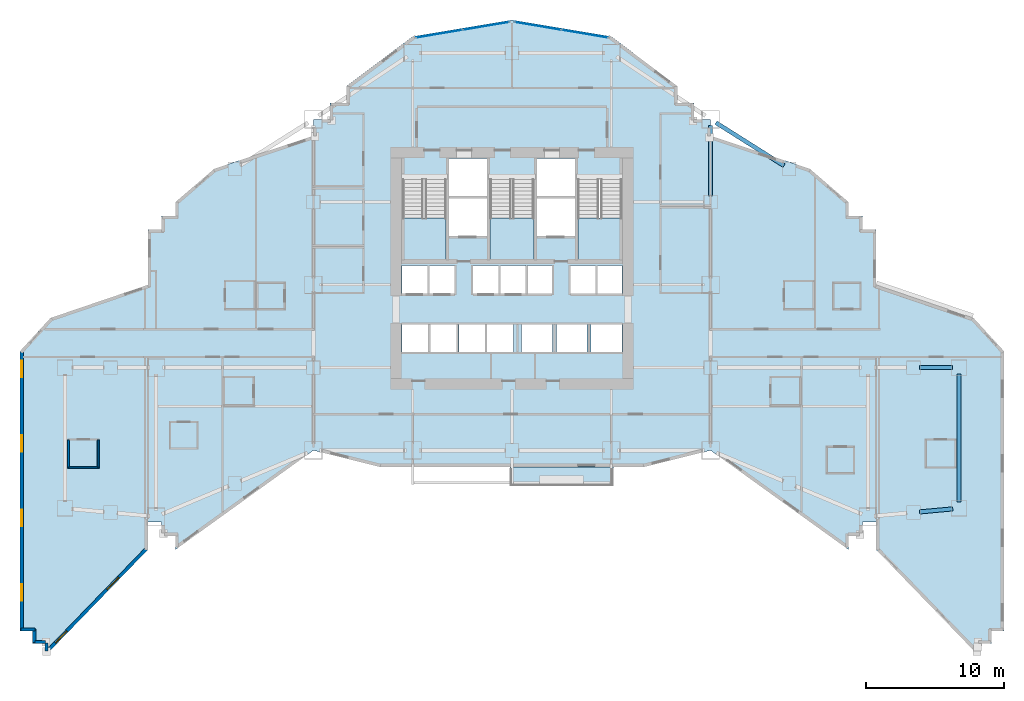
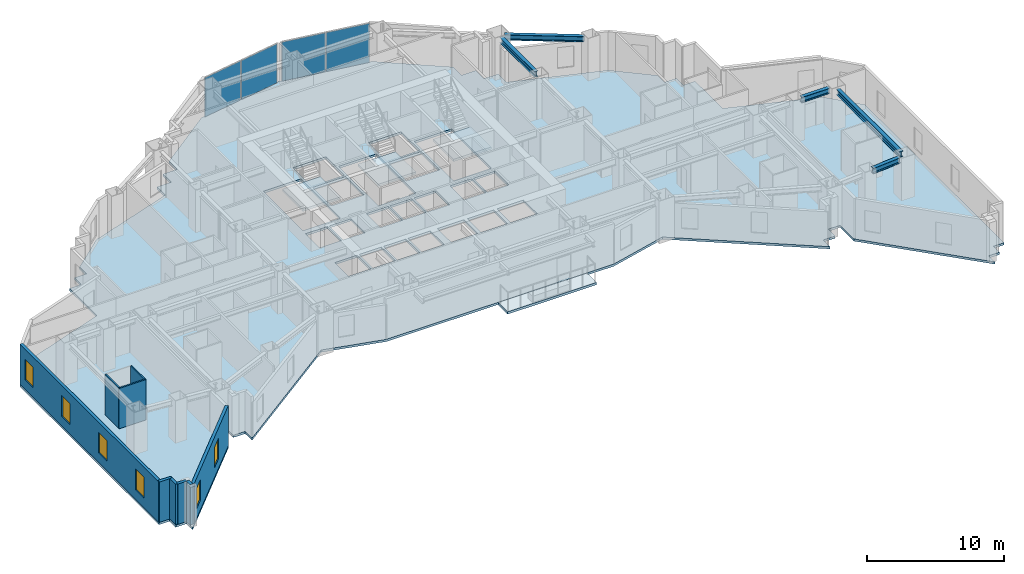
# One storey, part 6 of 17: 9 walls, 6 windows, 5 beams, 5 slabs, 4 plates, 6 openings, 5 elements without a shape of their own.
"""IFC4 building model written with IfcOpenShell, lengths in metres."""

import ifcopenshell
import ifcopenshell.guid

model = None  # the IFC model being written
_history = None  # IfcOwnerHistory: only IFC2X3 demands one
_inside = {}  # id of a spatial element -> (the spatial element, [elements in it])
_under = {}  # id of a project, library or spatial element -> (it, [spatial elements below it])
_declared = {}  # id of a project -> (the project, [libraries it declares])
_typed = {}  # id of a type object -> (the type object, [elements of that type])
_made_of = {}  # id of a material, layer set ... -> (it, [elements and type objects made of it])


def new_model(schema):
    """Start an empty IFC model of exactly this schema.

    Asked for "IFC4X3", IfcOpenShell would pick the latest addendum, in which some entities
    have other attributes; the version numbers below select the first issue.
    IFC2X3 requires an IfcOwnerHistory on every rooted entity: one is made here for all.
    """
    global model, _history
    if schema == "IFC4X3":
        model = ifcopenshell.file(schema_version=(4, 3, 0, 0))
    else:
        model = ifcopenshell.file(schema=schema)
    _inside.clear()
    _under.clear()
    _declared.clear()
    _typed.clear()
    _made_of.clear()
    _history = None
    if model.schema == "IFC2X3":
        org = make("IfcOrganization", Name="unknown")
        user = make(
            "IfcPersonAndOrganization",
            ThePerson=make("IfcPerson", FamilyName="unknown"),
            TheOrganization=org,
        )
        app = make(
            "IfcApplication",
            ApplicationDeveloper=org,
            Version="unknown",
            ApplicationFullName="unknown",
            ApplicationIdentifier="unknown",
        )
        _history = make(
            "IfcOwnerHistory",
            OwningUser=user,
            OwningApplication=app,
            ChangeAction="ADDED",
            CreationDate=0,
        )
    return model


def make(cls, **values):
    """One entity of the class cls with the attributes given. An attribute that is None is left unset."""
    return model.create_entity(
        cls, **{name: value for name, value in values.items() if value is not None}
    )


def rooted(cls, **values):
    """An entity with a GlobalId (a new one), such as an element, a storey or a relation."""
    return make(cls, GlobalId=ifcopenshell.guid.new(), OwnerHistory=_history, **values)


def si_unit(unit_type, name, prefix=None):
    """IfcSIUnit, for example si_unit("LENGTHUNIT", "METRE", prefix="MILLI")."""
    return make("IfcSIUnit", UnitType=unit_type, Prefix=prefix, Name=name)


def assignment(units):
    """IfcUnitAssignment: the units of a project."""
    return None if units is None else make("IfcUnitAssignment", Units=units)


def point(xyz):
    """IfcCartesianPoint."""
    return None if xyz is None else make("IfcCartesianPoint", Coordinates=xyz)


def direction(xyz):
    """IfcDirection."""
    return None if xyz is None else make("IfcDirection", DirectionRatios=xyz)


def frame(location, z_axis=None, x_axis=None):
    """IfcAxis2Placement3D, a coordinate frame: its origin and axes. An axis left out is left unset."""
    return make(
        "IfcAxis2Placement3D",
        Location=point(location),
        Axis=direction(z_axis),
        RefDirection=direction(x_axis),
    )


def frame_2d(location, x_axis=None):
    """IfcAxis2Placement2D, a coordinate frame in the plane: its origin and x axis."""
    return make(
        "IfcAxis2Placement2D", Location=point(location), RefDirection=direction(x_axis)
    )


def origin():
    """The frame at (0, 0, 0) with its axes left unset."""
    return frame((0.0, 0.0, 0.0))


def origin_2d():
    """The frame at (0, 0) in the plane with its x axis left unset."""
    return frame_2d((0.0, 0.0))


def place(relative_to, where):
    """IfcLocalPlacement: puts the frame where relative to a parent placement (None: the world)."""
    return make(
        "IfcLocalPlacement", PlacementRelTo=relative_to, RelativePlacement=where
    )


def context(
    kind, dimensions, precision=None, world=None, true_north=None, identifier=None
):
    """IfcGeometricRepresentationContext, for example the 3D "Model" context."""
    return make(
        "IfcGeometricRepresentationContext",
        ContextIdentifier=identifier,
        ContextType=kind,
        CoordinateSpaceDimension=dimensions,
        Precision=precision,
        WorldCoordinateSystem=world,
        TrueNorth=true_north,
    )


def subcontext(parent, identifier, kind, view, scale=None):
    """IfcGeometricRepresentationSubContext, for example "Body" below "Model"."""
    return make(
        "IfcGeometricRepresentationSubContext",
        ContextIdentifier=identifier,
        ContextType=kind,
        ParentContext=parent,
        TargetScale=scale,
        TargetView=view,
    )


def project(units=None, contexts=None):
    """IfcProject with its units and contexts."""
    return rooted(
        "IfcProject",
        Name="project",
        RepresentationContexts=contexts,
        UnitsInContext=assignment(units),
    )


def spatial(cls, under=None, at=None, **own):
    """A site, building, storey or space (cls), placed at a placement, below another one or the project."""
    s = rooted(cls, ObjectPlacement=at, **own)
    if under is not None:
        _under.setdefault(under.id(), (under, []))[1].append(s)
    return s


def polyline(points):
    """IfcPolyline through the points."""
    return make("IfcPolyline", Points=[point(p) for p in points])


def profile(cls, at=None, kind="AREA", **sizes):
    """A parametric profile (cls). Its sizes go by their IFC names, for example OverallWidth=200.0."""
    return make(cls, ProfileType=kind, Position=at, **sizes)


def rectangle(**sizes):
    """IfcRectangleProfileDef."""
    return profile("IfcRectangleProfileDef", **sizes)


def i_section(**sizes):
    """IfcIShapeProfileDef."""
    return profile("IfcIShapeProfileDef", **sizes)


def outline(outer, holes=None, kind="AREA"):
    """IfcArbitraryClosedProfileDef: a profile drawn as a closed curve; with holes, ...WithVoids."""
    if holes is None:
        return make("IfcArbitraryClosedProfileDef", ProfileType=kind, OuterCurve=outer)
    return make(
        "IfcArbitraryProfileDefWithVoids",
        ProfileType=kind,
        OuterCurve=outer,
        InnerCurves=holes,
    )


def extrude(swept, where, along, depth):
    """IfcExtrudedAreaSolid: the profile swept, set in the frame where, extruded along a direction by depth."""
    return make(
        "IfcExtrudedAreaSolid",
        SweptArea=swept,
        Position=where,
        ExtrudedDirection=direction(along),
        Depth=depth,
    )


def shape(context_of_items, identifier, shape_type, items):
    """IfcShapeRepresentation: the items that make up one representation, for example the "Body"."""
    return make(
        "IfcShapeRepresentation",
        ContextOfItems=context_of_items,
        RepresentationIdentifier=identifier,
        RepresentationType=shape_type,
        Items=items,
    )


def material(Name=None, Category=None):
    """IfcMaterial."""
    return make("IfcMaterial", Name=Name, Category=Category)


def layer(
    of_material, thickness, ventilated=None, Name=None, Category=None, Priority=None
):
    """IfcMaterialLayer: one layer of a wall or slab, of a material (None: an air gap)."""
    return make(
        "IfcMaterialLayer",
        Material=of_material,
        LayerThickness=thickness,
        IsVentilated=ventilated,
        Name=Name,
        Category=Category,
        Priority=Priority,
    )


def layer_set(layers, Name=None):
    """IfcMaterialLayerSet."""
    return make("IfcMaterialLayerSet", MaterialLayers=layers, LayerSetName=Name)


def material_profile(
    of_material, cross_section, Name=None, Category=None, Priority=None
):
    """IfcMaterialProfile: a cross section and its material."""
    return make(
        "IfcMaterialProfile",
        Name=Name,
        Material=of_material,
        Profile=cross_section,
        Priority=Priority,
        Category=Category,
    )


def profile_set(profiles, Name=None, composite=None):
    """IfcMaterialProfileSet."""
    return make(
        "IfcMaterialProfileSet",
        Name=Name,
        MaterialProfiles=profiles,
        CompositeProfile=composite,
    )


def made_of(thing, what):
    """Note that an element or type object is made of a material, layer set ...; save() writes the relation."""
    if what is not None:
        _made_of.setdefault(what.id(), (what, []))[1].append(thing)
    return thing


def type_object(cls, material=None, **own):
    """A type object (cls), such as IfcWallType, which elements share."""
    return made_of(rooted(cls, **own), material)


def element(
    cls,
    number,
    at=None,
    inside=None,
    cuts=None,
    type_object=None,
    material=None,
    context=None,
    identifier="Body",
    shape_type=None,
    held_by="IfcProductDefinitionShape",
    body=None,
    shapes=None,
    **own,
):
    """One element of the class cls, such as IfcWall. Its Tag is "e" and its number.

    at: its placement. inside: the storey or other place that contains it. cuts: it is an
    opening in that element (IfcRelVoidsElement). A single representation is given by context,
    identifier, shape_type and body (its items); several are given by shapes. held_by: the class
    of the entity that holds the representations. save() writes the other relations.
    """
    e = rooted(cls, Tag="e%d" % number, ObjectPlacement=at, **own)
    if body is not None:
        shapes = [shape(context, identifier, shape_type, body)]
    if shapes is not None:
        e.Representation = make(held_by, Representations=shapes)
    if inside is not None:
        _inside.setdefault(inside.id(), (inside, []))[1].append(e)
    if cuts is not None:
        rooted(
            "IfcRelVoidsElement", RelatingBuildingElement=cuts, RelatedOpeningElement=e
        )
    if type_object is not None:
        _typed.setdefault(type_object.id(), (type_object, []))[1].append(e)
    return made_of(e, material)


def fill(opening, filler):
    """IfcRelFillsElement: the door or window that sits in an opening."""
    return rooted(
        "IfcRelFillsElement",
        RelatingOpeningElement=opening,
        RelatedBuildingElement=filler,
    )


def aggregate(whole, parts):
    """IfcRelAggregates: a whole, such as a stair, and the parts it consists of."""
    return rooted("IfcRelAggregates", RelatingObject=whole, RelatedObjects=parts)


def save(model, path):
    """Write the relations noted so far, then the file.

    IfcRelAggregates (storeys below a building ...), IfcRelContainedInSpatialStructure (elements
    in a storey), IfcRelDefinesByType, IfcRelAssociatesMaterial and IfcRelDeclares: one each for
    every whole, place, type object, material and project.
    """
    for whole, parts in _under.values():
        aggregate(whole, parts)
    for where, things in _inside.values():
        rooted(
            "IfcRelContainedInSpatialStructure",
            RelatedElements=things,
            RelatingStructure=where,
        )
    for kind, things in _typed.values():
        rooted("IfcRelDefinesByType", RelatedObjects=things, RelatingType=kind)
    for what, things in _made_of.values():
        rooted("IfcRelAssociatesMaterial", RelatedObjects=things, RelatingMaterial=what)
    for by, libraries in _declared.values():
        rooted("IfcRelDeclares", RelatingContext=by, RelatedDefinitions=libraries)
    model.write(path)


model = new_model("IFC4")

# Units and contexts
model_context = context("Model", 3, precision=1e-05, world=origin(), true_north=direction((0.0, 1.0)))
body_context = subcontext(model_context, "Body", "Model", "MODEL_VIEW")
ifc_project = project(units=[si_unit("LENGTHUNIT", "METRE"), si_unit("AREAUNIT", "SQUARE_METRE"), si_unit("VOLUMEUNIT", "CUBIC_METRE"), si_unit("PLANEANGLEUNIT", "RADIAN"), si_unit("MASSUNIT", "GRAM", prefix="KILO")], contexts=[model_context])

# Site, building, storey
site_placement = place(None, origin())
site = spatial("IfcSite", under=ifc_project, at=site_placement, CompositionType="ELEMENT")
building_placement = place(site_placement, origin())
building = spatial("IfcBuilding", under=site, at=building_placement, Name="Haolan Belvedere Tower", CompositionType="ELEMENT")
storey_placement = place(building_placement, frame((0.0, 0.0, 35.39990234375)))
storey = spatial("IfcBuildingStorey", under=building, at=storey_placement, Name="L08", CompositionType="ELEMENT", Elevation=35.39990234375)

# Beams
ifc_material_1 = material(Name="Steel Q355B", Category="steel")
ifc_material_profile = material_profile(ifc_material_1, i_section(OverallWidth=0.300048828125, OverallDepth=0.488037109375, WebThickness=0.010986328125, FlangeThickness=0.01806640625, FilletRadius=0.02587890625, at=origin_2d()), Name="Steel Q355B")
ifc_profile_set = profile_set([ifc_material_profile], Name="Steel Q355B")
beam_type = type_object("IfcBeamType", Name="BM-HM488x300x11x18", PredefinedType="SPANDREL", material=ifc_profile_set)
beam_1_placement = place(storey_placement, frame((52.800048828125, 40.050048828125, 3.356201171875), z_axis=(0.0, 1.0, 0.0), x_axis=(-1.0, 0.0, 0.0)))
element("IfcBeam", 1, at=beam_1_placement, inside=storey, type_object=beam_type, Name="L08 spandrel girder TC-T3-E2-MC-T3-NE", PredefinedType="SPANDREL", context=body_context, shape_type="SweptSolid", body=[
    extrude(i_section(OverallWidth=0.300048828125, OverallDepth=0.488037109375, WebThickness=0.010986328125, FlangeThickness=0.01806640625, FilletRadius=0.02587890625, at=origin_2d()), origin(), (0.0, 0.0, 1.0), 5.099853515625),
])
beam_2_placement = place(storey_placement, frame((53.180419921875, 45.359619140625, 3.356201171875), z_axis=(0.845497840649, -0.533978839898, 0.0), x_axis=(0.533978839898, 0.845497840649, 0.0)))
element("IfcBeam", 2, at=beam_2_placement, inside=storey, type_object=beam_type, Name="L08 spandrel girder MC-T3-NE-TC-T4-N1", PredefinedType="SPANDREL", context=body_context, shape_type="SweptSolid", body=[
    extrude(i_section(OverallWidth=0.300048828125, OverallDepth=0.488037109375, WebThickness=0.010986328125, FlangeThickness=0.01806640625, FilletRadius=0.02587890625, at=origin_2d()), origin(), (0.0, 0.0, 1.0), 5.841796875),
])
beam_3_placement = place(storey_placement, frame((70.800048828125, 17.85009765625, 3.356201171875), z_axis=(0.0, 1.0, 0.0), x_axis=(-1.0, 0.0, 0.0)))
element("IfcBeam", 3, at=beam_3_placement, inside=storey, type_object=beam_type, Name="L08 spandrel girder MC-T5-SE-MC-T5-NE", PredefinedType="SPANDREL", context=body_context, shape_type="SweptSolid", body=[
    extrude(i_section(OverallWidth=0.300048828125, OverallDepth=0.488037109375, WebThickness=0.010986328125, FlangeThickness=0.01806640625, FilletRadius=0.02587890625, at=origin_2d()), origin(), (0.0, 0.0, 1.0), 9.2998046875),
])
beam_4_placement = place(storey_placement, frame((67.9482421875, 17.140625, 3.356201171875), z_axis=(0.995884080761, 0.090636072764, 0.0), x_axis=(-0.090636072764, 0.995884080761, 0.0)))
element("IfcBeam", 4, at=beam_4_placement, inside=storey, type_object=beam_type, Name="L08 spandrel girder TC-T5-M1-MC-T5-SE", PredefinedType="SPANDREL", context=body_context, shape_type="SweptSolid", body=[
    extrude(i_section(OverallWidth=0.300048828125, OverallDepth=0.488037109375, WebThickness=0.010986328125, FlangeThickness=0.01806640625, FilletRadius=0.02587890625, at=origin_2d()), origin(), (0.0, 0.0, 1.0), 2.41357421875),
])
beam_5_placement = place(storey_placement, frame((67.949951171875, 27.60009765625, 3.356201171875), z_axis=(1.0, 0.0, 0.0), x_axis=(0.0, 1.0, 0.0)))
element("IfcBeam", 5, at=beam_5_placement, inside=storey, type_object=beam_type, Name="L08 spandrel girder TC-T5-M2-MC-T5-NE", PredefinedType="SPANDREL", context=body_context, shape_type="SweptSolid", body=[
    extrude(i_section(OverallWidth=0.300048828125, OverallDepth=0.488037109375, WebThickness=0.010986328125, FlangeThickness=0.01806640625, FilletRadius=0.02587890625, at=origin_2d()), origin(), (0.0, 0.0, 1.0), 2.400146484375),
])

# Curtain wall, plates
ifc_material_2 = material(Name="Anodised champagne-silver aluminium 6063-T6 and Low-E glass", Category="aluminium")
ifc_layer_1 = layer(ifc_material_2, 0.1650390625, Name="Anodised champagne-silver aluminium 6063-T6 and Low-E glass")
ifc_layer_set_1 = layer_set([ifc_layer_1], Name="Anodised champagne-silver aluminium 6063-T6 and Low-E glass")
curtain_wall_type = type_object("IfcCurtainWallType", Name="CW-SYS-02", PredefinedType="NOTDEFINED", material=ifc_layer_set_1)
curtain_wall_1_placement = place(storey_placement, origin())
curtain_wall_1 = element("IfcCurtainWall", 6, at=curtain_wall_1_placement, inside=storey, type_object=curtain_wall_type, Name="L08 CW-SYS-02 ribbon curtain wall 42.1", PredefinedType="NOTDEFINED")
ifc_material_3 = material(Name="Double silver Low-E laminated insulating glass", Category="glass")
ifc_layer_2 = layer(ifc_material_3, 0.02587890625, Name="Double silver Low-E laminated insulating glass")
ifc_layer_set_2 = layer_set([ifc_layer_2], Name="Double silver Low-E laminated insulating glass")
plate_type = type_object("IfcPlateType", Name="CW-SYS-02-PNL", PredefinedType="CURTAIN_PANEL", material=ifc_layer_set_2)
plate_1_placement = place(storey_placement, frame((43.6796875, 51.79833984375, 0.05517578125), z_axis=(0.0, 0.0, 1.0), x_axis=(-0.9863931483, 0.16440364043, 0.0)))
plate_1 = element("IfcPlate", 7, at=plate_1_placement, type_object=plate_type, Name="CW-02 panel 1.1", PredefinedType="CURTAIN_PANEL", context=body_context, shape_type="SweptSolid", body=[
    extrude(rectangle(XDim=3.39501953125, YDim=0.02587890625, at=origin_2d()), origin(), (0.0, 0.0, 1.0), 3.489990234375),
])
plate_2_placement = place(storey_placement, frame((40.271728515625, 52.366455078125, 0.05517578125), z_axis=(0.0, 0.0, 1.0), x_axis=(-0.9863931483, 0.16440364043, 0.0)))
plate_2 = element("IfcPlate", 8, at=plate_2_placement, type_object=plate_type, Name="CW-02 panel 2.1", PredefinedType="CURTAIN_PANEL", context=body_context, shape_type="SweptSolid", body=[
    extrude(rectangle(XDim=3.39501953125, YDim=0.02587890625, at=origin_2d()), origin(), (0.0, 0.0, 1.0), 3.489990234375),
])
aggregate(curtain_wall_1, [plate_1, plate_2])

curtain_wall_2_placement = place(storey_placement, origin())
curtain_wall_2 = element("IfcCurtainWall", 9, at=curtain_wall_2_placement, inside=storey, type_object=curtain_wall_type, Name="L08 CW-SYS-02 ribbon curtain wall 43.1", PredefinedType="NOTDEFINED")
plate_3_placement = place(storey_placement, frame((36.5283203125, 52.366455078125, 0.05517578125), z_axis=(0.0, 0.0, 1.0), x_axis=(-0.9863931483, -0.16440364043, 0.0)))
plate_3 = element("IfcPlate", 10, at=plate_3_placement, type_object=plate_type, Name="CW-02 panel 1.1", PredefinedType="CURTAIN_PANEL", context=body_context, shape_type="SweptSolid", body=[
    extrude(rectangle(XDim=3.39501953125, YDim=0.02587890625, at=origin_2d()), origin(), (0.0, 0.0, 1.0), 3.489990234375),
])
plate_4_placement = place(storey_placement, frame((33.120361328125, 51.79833984375, 0.05517578125), z_axis=(0.0, 0.0, 1.0), x_axis=(-0.9863931483, -0.16440364043, 0.0)))
plate_4 = element("IfcPlate", 11, at=plate_4_placement, type_object=plate_type, Name="CW-02 panel 2.1", PredefinedType="CURTAIN_PANEL", context=body_context, shape_type="SweptSolid", body=[
    extrude(rectangle(XDim=3.39501953125, YDim=0.02587890625, at=origin_2d()), origin(), (0.0, 0.0, 1.0), 3.489990234375),
])
aggregate(curtain_wall_2, [plate_3, plate_4])

# Slabs
ifc_material_4 = material(Name="Concrete C40/50", Category="concrete")
ifc_layer_3 = layer(ifc_material_4, 0.2099609375, Name="Concrete C40/50")
ifc_layer_set_3 = layer_set([ifc_layer_3], Name="Concrete C40/50")
slab_type_1 = type_object("IfcSlabType", Name="SL-BAL-210", PredefinedType="FLOOR", material=ifc_layer_set_3)
slab_1_placement = place(storey_placement, frame((0.0, 0.0, -0.22998046875)))
element("IfcSlab", 12, at=slab_1_placement, inside=storey, type_object=slab_type_1, Name="L08 structural tree-planter balcony slab BAL-L08-S1", PredefinedType="FLOOR", context=body_context, shape_type="SweptSolid", body=[
    extrude(outline(polyline([(38.25, 19.02001953125), (45.75, 19.02001953125), (45.75, 20.39990234375), (38.25, 20.39990234375), (38.25, 19.02001953125)])), origin(), (0.0, 0.0, 1.0), 0.2099609375),
])
ifc_layer_4 = layer(ifc_material_4, 0.199951171875, Name="Concrete C40/50")
ifc_layer_set_4 = layer_set([ifc_layer_4], Name="Concrete C40/50")
slab_type_2 = type_object("IfcSlabType", Name="SL-FLR-200", PredefinedType="FLOOR", material=ifc_layer_set_4)
slab_2_placement = place(storey_placement, frame((0.0, 0.0, -0.199951171875)))
element("IfcSlab", 13, at=slab_2_placement, inside=storey, type_object=slab_type_2, Name="L08 structural floor slab", PredefinedType="FLOOR", context=body_context, shape_type="SweptSolid", body=[
    extrude(outline(polyline([(2.739990234375, 28.800048828125), (2.739990234375, 9.093017578125), (2.739990234375, 8.492919921875), (3.639892578125, 8.492919921875), (3.639892578125, 7.593017578125), (4.5400390625, 7.593017578125), (4.5400390625, 6.693115234375), (12.0, 14.39990234375), (12.0, 16.39990234375), (13.0, 16.39990234375), (13.0, 15.39990234375), (14.0, 15.39990234375), (14.0, 14.39990234375), (24.0, 21.60009765625), (28.800048828125, 20.39990234375), (48.0, 20.39990234375), (52.800048828125, 21.60009765625), (62.800048828125, 14.39990234375), (62.800048828125, 15.39990234375), (63.800048828125, 15.39990234375), (63.800048828125, 16.39990234375), (64.800048828125, 16.39990234375), (64.800048828125, 14.39990234375), (72.260009765625, 6.693115234375), (72.260009765625, 7.593017578125), (73.159912109375, 7.593017578125), (73.159912109375, 8.492919921875), (74.06005859375, 8.492919921875), (74.06005859375, 28.800048828125), (71.860107421875, 31.199951171875), (64.800048828125, 33.60009765625), (64.800048828125, 37.60009765625), (63.800048828125, 37.60009765625), (63.800048828125, 38.60009765625), (62.800048828125, 38.60009765625), (62.800048828125, 39.60009765625), (60.0, 42.0), (52.800048828125, 44.39990234375), (52.800048828125, 45.60009765625), (51.60009765625, 45.60009765625), (51.60009765625, 46.800048828125), (50.39990234375, 46.800048828125), (50.39990234375, 48.0), (45.60009765625, 51.60009765625), (38.39990234375, 52.800048828125), (31.199951171875, 51.60009765625), (26.39990234375, 48.0), (26.39990234375, 46.800048828125), (25.199951171875, 46.800048828125), (25.199951171875, 45.60009765625), (24.0, 45.60009765625), (24.0, 44.39990234375), (16.800048828125, 42.0), (14.0, 39.60009765625), (14.0, 38.60009765625), (13.0, 38.60009765625), (13.0, 37.60009765625), (12.0, 37.60009765625), (12.0, 33.60009765625), (4.93994140625, 31.199951171875), (2.739990234375, 28.800048828125)]), holes=[polyline([(30.449951171875, 41.22998046875), (30.449951171875, 35.449951171875), (33.6298828125, 35.449951171875), (33.6298828125, 41.22998046875), (30.449951171875, 41.22998046875)]), polyline([(36.81005859375, 41.22998046875), (36.81005859375, 35.449951171875), (39.989990234375, 35.449951171875), (39.989990234375, 41.22998046875), (36.81005859375, 41.22998046875)]), polyline([(43.169921875, 41.22998046875), (43.169921875, 35.449951171875), (46.35009765625, 35.449951171875), (46.35009765625, 41.22998046875), (43.169921875, 41.22998046875)]), polyline([(33.830078125, 40.050048828125), (36.610107421875, 40.050048828125), (36.610107421875, 42.75), (33.830078125, 42.75), (33.830078125, 40.050048828125)]), polyline([(33.830078125, 37.14990234375), (36.610107421875, 37.14990234375), (36.610107421875, 39.85009765625), (33.830078125, 39.85009765625), (33.830078125, 37.14990234375)]), polyline([(40.18994140625, 40.050048828125), (42.969970703125, 40.050048828125), (42.969970703125, 42.75), (40.18994140625, 42.75), (40.18994140625, 40.050048828125)]), polyline([(40.18994140625, 37.14990234375), (42.969970703125, 37.14990234375), (42.969970703125, 39.85009765625), (40.18994140625, 39.85009765625), (40.18994140625, 37.14990234375)]), polyline([(30.419921875, 32.949951171875), (32.27001953125, 32.949951171875), (32.27001953125, 35.0), (30.419921875, 35.0), (30.419921875, 32.949951171875)]), polyline([(32.409912109375, 32.949951171875), (34.260009765625, 32.949951171875), (34.260009765625, 35.0), (32.409912109375, 35.0), (32.409912109375, 32.949951171875)]), polyline([(35.56005859375, 32.949951171875), (37.409912109375, 32.949951171875), (37.409912109375, 35.0), (35.56005859375, 35.0), (35.56005859375, 32.949951171875)]), polyline([(37.550048828125, 32.949951171875), (39.39990234375, 32.949951171875), (39.39990234375, 35.0), (37.550048828125, 35.0), (37.550048828125, 32.949951171875)]), polyline([(39.5400390625, 32.949951171875), (41.389892578125, 32.949951171875), (41.389892578125, 35.0), (39.5400390625, 35.0), (39.5400390625, 32.949951171875)]), polyline([(42.6201171875, 32.949951171875), (44.469970703125, 32.949951171875), (44.469970703125, 35.0), (42.6201171875, 35.0), (42.6201171875, 32.949951171875)]), polyline([(44.580078125, 32.949951171875), (46.3798828125, 32.949951171875), (46.3798828125, 35.0), (44.580078125, 35.0), (44.580078125, 32.949951171875)]), polyline([(30.419921875, 28.75), (32.320068359375, 28.75), (32.320068359375, 30.75), (30.419921875, 30.75), (30.419921875, 28.75)]), polyline([(32.47998046875, 28.75), (34.3798828125, 28.75), (34.3798828125, 30.75), (32.47998046875, 30.75), (32.47998046875, 28.75)]), polyline([(34.5400390625, 28.75), (36.43994140625, 28.75), (36.43994140625, 30.75), (34.5400390625, 30.75), (34.5400390625, 28.75)]), polyline([(36.60009765625, 28.75), (38.5, 28.75), (38.5, 30.75), (36.60009765625, 30.75), (36.60009765625, 28.75)]), polyline([(39.10009765625, 28.75), (41.340087890625, 28.75), (41.340087890625, 30.75), (39.10009765625, 30.75), (39.10009765625, 28.75)]), polyline([(41.610107421875, 28.75), (43.85009765625, 28.75), (43.85009765625, 30.75), (41.610107421875, 30.75), (41.610107421875, 28.75)]), polyline([(44.1201171875, 28.75), (46.360107421875, 28.75), (46.360107421875, 30.75), (44.1201171875, 30.75), (44.1201171875, 28.75)])]), origin(), (0.0, 0.0, 1.0), 0.199951171875),
])

# Stair, slab
stair_type = type_object("IfcStairType", Name="STR-DL-22R-173", PredefinedType="HALF_TURN_STAIR", material=ifc_material_4)
stair_1_placement = place(storey_placement, origin())
stair_1 = element("IfcStair", 14, at=stair_1_placement, inside=storey, type_object=stair_type, Name="L08 Smokeproof Core Exit Stair ST1", PredefinedType="HALF_TURN_STAIR")
ifc_layer_5 = layer(ifc_material_4, 0.199951171875, Name="Concrete C40/50")
ifc_layer_set_5 = layer_set([ifc_layer_5], Name="Concrete C40/50")
slab_type_3 = type_object("IfcSlabType", Name="SL-LAND-200", PredefinedType="LANDING", material=ifc_layer_set_5)
slab_3_placement = place(storey_placement, frame((0.0, 0.0, 1.7001953125)))
slab_3 = element("IfcSlab", 15, at=slab_3_placement, type_object=slab_type_3, Name="ST1 landing 1", PredefinedType="LANDING", context=body_context, shape_type="SweptSolid", body=[
    extrude(outline(polyline([(30.449951171875, 38.429931640625), (30.449951171875, 35.449951171875), (33.6298828125, 35.449951171875), (33.6298828125, 38.429931640625), (30.449951171875, 38.429931640625)])), origin(), (0.0, 0.0, 1.0), 0.199951171875),
])
aggregate(stair_1, [slab_3])

stair_2_placement = place(storey_placement, origin())
stair_2 = element("IfcStair", 16, at=stair_2_placement, inside=storey, type_object=stair_type, Name="L08 Smokeproof Core Exit Stair ST3", PredefinedType="HALF_TURN_STAIR")
slab_4_placement = place(storey_placement, frame((0.0, 0.0, 1.7001953125)))
slab_4 = element("IfcSlab", 17, at=slab_4_placement, type_object=slab_type_3, Name="ST3 landing 1", PredefinedType="LANDING", context=body_context, shape_type="SweptSolid", body=[
    extrude(outline(polyline([(36.81005859375, 38.429931640625), (36.81005859375, 35.449951171875), (39.989990234375, 35.449951171875), (39.989990234375, 38.429931640625), (36.81005859375, 38.429931640625)])), origin(), (0.0, 0.0, 1.0), 0.199951171875),
])
aggregate(stair_2, [slab_4])

stair_3_placement = place(storey_placement, origin())
stair_3 = element("IfcStair", 18, at=stair_3_placement, inside=storey, type_object=stair_type, Name="L08 Smokeproof Core Exit Stair ST2", PredefinedType="HALF_TURN_STAIR")
slab_5_placement = place(storey_placement, frame((0.0, 0.0, 1.7001953125)))
slab_5 = element("IfcSlab", 19, at=slab_5_placement, type_object=slab_type_3, Name="ST2 landing 1", PredefinedType="LANDING", context=body_context, shape_type="SweptSolid", body=[
    extrude(outline(polyline([(43.169921875, 38.429931640625), (43.169921875, 35.449951171875), (46.35009765625, 35.449951171875), (46.35009765625, 38.429931640625), (43.169921875, 38.429931640625)])), origin(), (0.0, 0.0, 1.0), 0.199951171875),
])
aggregate(stair_3, [slab_5])

# Walls
ifc_material_5 = material(Name="Precast concrete C40/50", Category="concrete")
ifc_layer_6 = layer(ifc_material_5, 0.239990234375, Name="Precast concrete C40/50")
ifc_layer_set_6 = layer_set([ifc_layer_6], Name="Precast concrete C40/50")
wall_type_1 = type_object("IfcWallType", Name="WL-EXT-240", PredefinedType="SOLIDWALL", material=ifc_layer_set_6)
for number, where, z_axis, x_axis, name in (
    (20, (2.804931640625, 8.613037109375, 0.0), (0.0, 0.0, 1.0), (1.0, 0.0, 0.0), "L08 pale-metal exterior spandrel wall 1.1"),
    (21, (3.760009765625, 8.66796875, 0.0), (0.0, 0.0, 1.0), (0.0, -1.0, 0.0), "L08 pale-metal exterior spandrel wall 2.1"),
):
    element("IfcWall", number, at=place(storey_placement, frame(where, z_axis=z_axis, x_axis=x_axis)), inside=storey, type_object=wall_type_1, Name=name, PredefinedType="SOLIDWALL", context=body_context, shape_type="SweptSolid", body=[
        extrude(rectangle(XDim=1.010009765625, YDim=0.239990234375, at=frame_2d((0.5048828125, 0.0))), origin(), (0.0, 0.0, 1.0), 3.60009765625),
    ])
wall_1_placement = place(storey_placement, frame((3.824951171875, 7.712890625, 0.0), z_axis=(0.0, 0.0, 1.0), x_axis=(1.0, 0.0, 0.0)))
element("IfcWall", 22, at=wall_1_placement, inside=storey, type_object=wall_type_1, Name="L08 pale-metal exterior spandrel wall 3.1", PredefinedType="SOLIDWALL", context=body_context, shape_type="SweptSolid", body=[
    extrude(rectangle(XDim=0.75, YDim=0.239990234375, at=frame_2d((0.375, 0.0))), origin(), (0.0, 0.0, 1.0), 3.60009765625),
])
wall_2_placement = place(storey_placement, frame((4.659912109375, 7.6279296875, 0.0), z_axis=(0.0, 0.0, 1.0), x_axis=(0.0, -1.0, 0.0)))
element("IfcWall", 23, at=wall_2_placement, inside=storey, type_object=wall_type_1, Name="L08 pale-metal exterior spandrel wall 4.1", PredefinedType="SOLIDWALL", context=body_context, shape_type="SweptSolid", body=[
    extrude(rectangle(XDim=0.553466796875, YDim=0.239990234375, at=frame_2d((0.27685546875, 0.0))), origin(), (0.0, 0.0, 1.0), 3.60009765625),
])

# Wall, openings, windows
wall_3_placement = place(storey_placement, frame((4.81298828125, 7.147705078125, 0.0), z_axis=(0.0, 0.0, 1.0), x_axis=(0.695506215319, 0.718520079366, 0.0)))
wall_3 = element("IfcWall", 24, at=wall_3_placement, inside=storey, type_object=wall_type_1, Name="L08 pale-metal exterior spandrel wall 5.1", PredefinedType="SOLIDWALL", context=body_context, shape_type="SweptSolid", body=[
    extrude(rectangle(XDim=10.2158203125, YDim=0.239990234375, at=frame_2d((5.10791015625, 0.0))), origin(), (0.0, 0.0, 1.0), 3.60009765625),
])
opening_1_placement = place(wall_3_placement, frame((0.699951171875, 0.0, 0.85009765625)))
opening_1 = element("IfcOpeningElement", 25, at=opening_1_placement, cuts=wall_3, Name="Opening W-01", PredefinedType="OPENING", context=body_context, shape_type="SweptSolid", body=[
    extrude(rectangle(XDim=1.199951171875, YDim=1.85009765625, at=frame_2d((0.60009765625, 0.925048828125))), frame((0.0, 0.1298828125, 0.0), z_axis=(0.0, -1.0, 0.0), x_axis=(1.0, 0.0, 0.0)), (0.0, 0.0, 1.0), 0.260009765625),
])
opening_2_placement = place(wall_3_placement, frame((6.10009765625, 0.0, 0.85009765625)))
opening_2 = element("IfcOpeningElement", 26, at=opening_2_placement, cuts=wall_3, Name="Opening W-01", PredefinedType="OPENING", context=body_context, shape_type="SweptSolid", body=[
    extrude(rectangle(XDim=1.199951171875, YDim=1.85009765625, at=frame_2d((0.60009765625, 0.925048828125))), frame((0.0, 0.1298828125, 0.0), z_axis=(0.0, -1.0, 0.0), x_axis=(1.0, 0.0, 0.0)), (0.0, 0.0, 1.0), 0.260009765625),
])
ifc_material_6 = material(Name="Anodised aluminium 6063-T6 and Low-E glass", Category="aluminium")
window_type = type_object("IfcWindowType", Name="WN-DECO-Z1", PartitioningType="SINGLE_PANEL", PredefinedType="WINDOW", material=ifc_material_6)
window_1_placement = place(opening_1_placement, origin())
window_1 = element("IfcWindow", 27, at=window_1_placement, inside=storey, type_object=window_type, Name="L08 Art Deco chevron window 1", OverallHeight=1.85009765625, OverallWidth=1.199951171875, PartitioningType="SINGLE_PANEL", PredefinedType="WINDOW", context=body_context, shape_type="SweptSolid", body=[
    extrude(rectangle(XDim=1.199951171875, YDim=1.85009765625, at=frame_2d((0.60009765625, 0.925048828125))), frame((0.0, 0.030029296875, 0.0), z_axis=(0.0, -1.0, 0.0), x_axis=(1.0, 0.0, 0.0)), (0.0, 0.0, 1.0), 0.06005859375),
])
fill(opening_1, window_1)
window_2_placement = place(opening_2_placement, origin())
window_2 = element("IfcWindow", 28, at=window_2_placement, inside=storey, type_object=window_type, Name="L08 Art Deco chevron window 2", OverallHeight=1.85009765625, OverallWidth=1.199951171875, PartitioningType="SINGLE_PANEL", PredefinedType="WINDOW", context=body_context, shape_type="SweptSolid", body=[
    extrude(rectangle(XDim=1.199951171875, YDim=1.85009765625, at=frame_2d((0.60009765625, 0.925048828125))), frame((0.0, 0.030029296875, 0.0), z_axis=(0.0, -1.0, 0.0), x_axis=(1.0, 0.0, 0.0)), (0.0, 0.0, 1.0), 0.06005859375),
])
fill(opening_2, window_2)

wall_4_placement = place(storey_placement, frame((2.860107421875, 28.808349609375, 0.0), z_axis=(0.0, 0.0, 1.0), x_axis=(0.0, -1.0, 0.0)))
wall_4 = element("IfcWall", 29, at=wall_4_placement, inside=storey, type_object=wall_type_1, Name="L08 pale-metal exterior spandrel wall 59.1", PredefinedType="SOLIDWALL", context=body_context, shape_type="SweptSolid", body=[
    extrude(rectangle(XDim=20.250244140625, YDim=0.239990234375, at=frame_2d((10.125, 0.0))), origin(), (0.0, 0.0, 1.0), 3.60009765625),
])
opening_3_placement = place(wall_4_placement, frame((0.699951171875, 0.0, 0.85009765625)))
opening_3 = element("IfcOpeningElement", 30, at=opening_3_placement, cuts=wall_4, Name="Opening W-01", PredefinedType="OPENING", context=body_context, shape_type="SweptSolid", body=[
    extrude(rectangle(XDim=1.199951171875, YDim=1.85009765625, at=frame_2d((0.60009765625, 0.925048828125))), frame((0.0, 0.1298828125, 0.0), z_axis=(0.0, -1.0, 0.0), x_axis=(1.0, 0.0, 0.0)), (0.0, 0.0, 1.0), 0.260009765625),
])
opening_4_placement = place(wall_4_placement, frame((6.10009765625, 0.0, 0.85009765625)))
opening_4 = element("IfcOpeningElement", 31, at=opening_4_placement, cuts=wall_4, Name="Opening W-01", PredefinedType="OPENING", context=body_context, shape_type="SweptSolid", body=[
    extrude(rectangle(XDim=1.199951171875, YDim=1.85009765625, at=frame_2d((0.60009765625, 0.925048828125))), frame((0.0, 0.1298828125, 0.0), z_axis=(0.0, -1.0, 0.0), x_axis=(1.0, 0.0, 0.0)), (0.0, 0.0, 1.0), 0.260009765625),
])
opening_5_placement = place(wall_4_placement, frame((11.5, 0.0, 0.85009765625)))
opening_5 = element("IfcOpeningElement", 32, at=opening_5_placement, cuts=wall_4, Name="Opening W-01", PredefinedType="OPENING", context=body_context, shape_type="SweptSolid", body=[
    extrude(rectangle(XDim=1.199951171875, YDim=1.85009765625, at=frame_2d((0.60009765625, 0.925048828125))), frame((0.0, 0.1298828125, 0.0), z_axis=(0.0, -1.0, 0.0), x_axis=(1.0, 0.0, 0.0)), (0.0, 0.0, 1.0), 0.260009765625),
])
opening_6_placement = place(wall_4_placement, frame((16.89990234375, 0.0, 0.85009765625)))
opening_6 = element("IfcOpeningElement", 33, at=opening_6_placement, cuts=wall_4, Name="Opening W-01", PredefinedType="OPENING", context=body_context, shape_type="SweptSolid", body=[
    extrude(rectangle(XDim=1.199951171875, YDim=1.85009765625, at=frame_2d((0.60009765625, 0.925048828125))), frame((0.0, 0.1298828125, 0.0), z_axis=(0.0, -1.0, 0.0), x_axis=(1.0, 0.0, 0.0)), (0.0, 0.0, 1.0), 0.260009765625),
])
window_3_placement = place(opening_3_placement, origin())
window_3 = element("IfcWindow", 34, at=window_3_placement, inside=storey, type_object=window_type, Name="L08 Art Deco chevron window 1", OverallHeight=1.85009765625, OverallWidth=1.199951171875, PartitioningType="SINGLE_PANEL", PredefinedType="WINDOW", context=body_context, shape_type="SweptSolid", body=[
    extrude(rectangle(XDim=1.199951171875, YDim=1.85009765625, at=frame_2d((0.60009765625, 0.925048828125))), frame((0.0, 0.030029296875, 0.0), z_axis=(0.0, -1.0, 0.0), x_axis=(1.0, 0.0, 0.0)), (0.0, 0.0, 1.0), 0.06005859375),
])
fill(opening_3, window_3)
window_4_placement = place(opening_4_placement, origin())
window_4 = element("IfcWindow", 35, at=window_4_placement, inside=storey, type_object=window_type, Name="L08 Art Deco chevron window 2", OverallHeight=1.85009765625, OverallWidth=1.199951171875, PartitioningType="SINGLE_PANEL", PredefinedType="WINDOW", context=body_context, shape_type="SweptSolid", body=[
    extrude(rectangle(XDim=1.199951171875, YDim=1.85009765625, at=frame_2d((0.60009765625, 0.925048828125))), frame((0.0, 0.030029296875, 0.0), z_axis=(0.0, -1.0, 0.0), x_axis=(1.0, 0.0, 0.0)), (0.0, 0.0, 1.0), 0.06005859375),
])
fill(opening_4, window_4)
window_5_placement = place(opening_5_placement, origin())
window_5 = element("IfcWindow", 36, at=window_5_placement, inside=storey, type_object=window_type, Name="L08 Art Deco chevron window 3", OverallHeight=1.85009765625, OverallWidth=1.199951171875, PartitioningType="SINGLE_PANEL", PredefinedType="WINDOW", context=body_context, shape_type="SweptSolid", body=[
    extrude(rectangle(XDim=1.199951171875, YDim=1.85009765625, at=frame_2d((0.60009765625, 0.925048828125))), frame((0.0, 0.030029296875, 0.0), z_axis=(0.0, -1.0, 0.0), x_axis=(1.0, 0.0, 0.0)), (0.0, 0.0, 1.0), 0.06005859375),
])
fill(opening_5, window_5)
window_6_placement = place(opening_6_placement, origin())
window_6 = element("IfcWindow", 37, at=window_6_placement, inside=storey, type_object=window_type, Name="L08 Art Deco chevron window 4", OverallHeight=1.85009765625, OverallWidth=1.199951171875, PartitioningType="SINGLE_PANEL", PredefinedType="WINDOW", context=body_context, shape_type="SweptSolid", body=[
    extrude(rectangle(XDim=1.199951171875, YDim=1.85009765625, at=frame_2d((0.60009765625, 0.925048828125))), frame((0.0, 0.030029296875, 0.0), z_axis=(0.0, -1.0, 0.0), x_axis=(1.0, 0.0, 0.0)), (0.0, 0.0, 1.0), 0.06005859375),
])
fill(opening_6, window_6)

# Walls
ifc_material_7 = material(Name="Moisture-resistant gypsum tile partition", Category="masonry")
ifc_layer_7 = layer(ifc_material_7, 0.1201171875, Name="Moisture-resistant gypsum tile partition")
ifc_layer_set_7 = layer_set([ifc_layer_7], Name="Moisture-resistant gypsum tile partition")
wall_type_2 = type_object("IfcWallType", Name="WL-WET-120", PredefinedType="PARTITIONING", material=ifc_layer_set_7)
wall_5_placement = place(storey_placement, frame((6.193115234375, 20.35009765625, 0.0), z_axis=(0.0, 0.0, 1.0), x_axis=(1.0, 0.0, 0.0)))
element("IfcWall", 38, at=wall_5_placement, inside=storey, type_object=wall_type_2, Name="L08 interior partition IW-L08-T1S1-BS", PredefinedType="PARTITIONING", context=body_context, shape_type="SweptSolid", body=[
    extrude(rectangle(XDim=2.269775390625, YDim=0.1201171875, at=frame_2d((1.134765625, 0.0))), origin(), (0.0, 0.0, 1.0), 3.60009765625),
])
for number, where, z_axis, x_axis, name in (
    (39, (6.2529296875, 20.39501953125, 0.0), (0.0, 0.0, 1.0), (0.0, 1.0, 0.0), "L08 interior partition IW-L08-T1S1-BW"),
    (40, (8.403076171875, 20.39501953125, 0.0), (0.0, 0.0, 1.0), (0.0, 1.0, 0.0), "L08 interior partition IW-L08-T1S1-BE"),
):
    element("IfcWall", number, at=place(storey_placement, frame(where, z_axis=z_axis, x_axis=x_axis)), inside=storey, type_object=wall_type_2, Name=name, PredefinedType="PARTITIONING", context=body_context, shape_type="SweptSolid", body=[
        extrude(rectangle(XDim=1.9599609375, YDim=0.1201171875, at=frame_2d((0.97998046875, 0.0))), origin(), (0.0, 0.0, 1.0), 3.60009765625),
    ])

save(model, "model.ifc")
